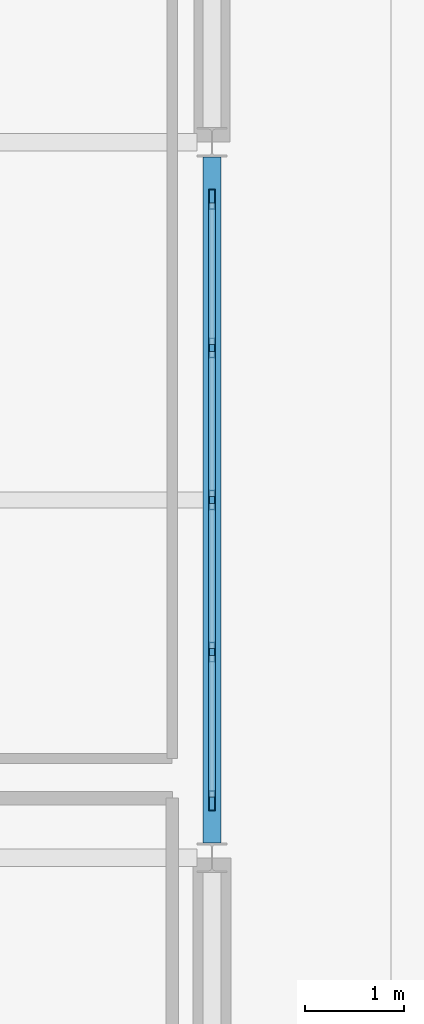
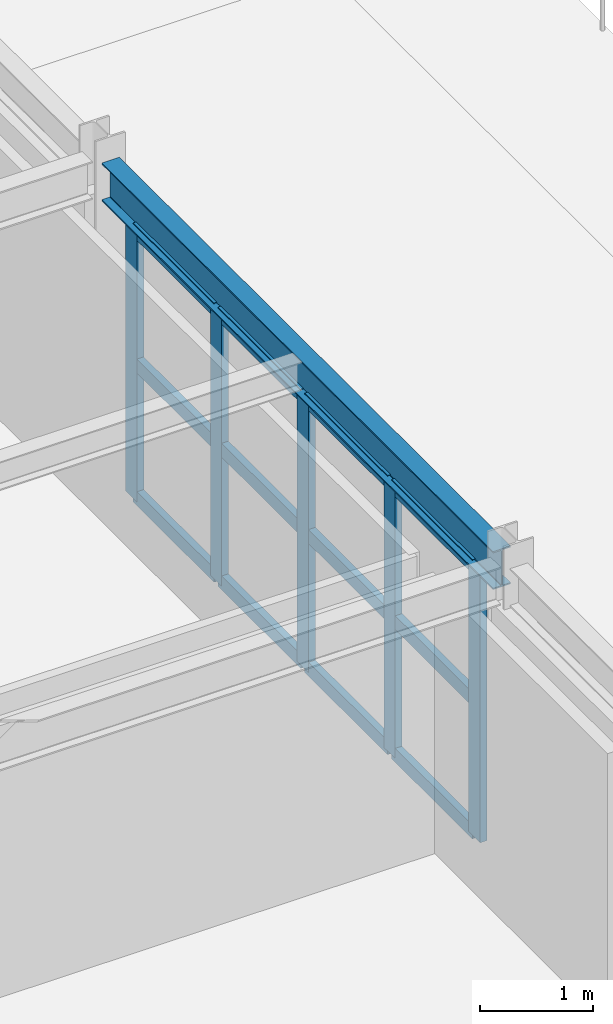
# One storey, part 47 of 73: 17 members, 1 beam, 1 element without a shape of its own.
"""IFC4 building model written with IfcOpenShell, lengths in metres."""

import ifcopenshell
import ifcopenshell.guid

model = None  # the IFC model being written
_history = None  # IfcOwnerHistory: only IFC2X3 demands one
_inside = {}  # id of a spatial element -> (the spatial element, [elements in it])
_under = {}  # id of a project, library or spatial element -> (it, [spatial elements below it])
_declared = {}  # id of a project -> (the project, [libraries it declares])
_typed = {}  # id of a type object -> (the type object, [elements of that type])
_made_of = {}  # id of a material, layer set ... -> (it, [elements and type objects made of it])


def new_model(schema):
    """Start an empty IFC model of exactly this schema.

    Asked for "IFC4X3", IfcOpenShell would pick the latest addendum, in which some entities
    have other attributes; the version numbers below select the first issue.
    IFC2X3 requires an IfcOwnerHistory on every rooted entity: one is made here for all.
    """
    global model, _history
    if schema == "IFC4X3":
        model = ifcopenshell.file(schema_version=(4, 3, 0, 0))
    else:
        model = ifcopenshell.file(schema=schema)
    _inside.clear()
    _under.clear()
    _declared.clear()
    _typed.clear()
    _made_of.clear()
    _history = None
    if model.schema == "IFC2X3":
        org = make("IfcOrganization", Name="unknown")
        user = make(
            "IfcPersonAndOrganization",
            ThePerson=make("IfcPerson", FamilyName="unknown"),
            TheOrganization=org,
        )
        app = make(
            "IfcApplication",
            ApplicationDeveloper=org,
            Version="unknown",
            ApplicationFullName="unknown",
            ApplicationIdentifier="unknown",
        )
        _history = make(
            "IfcOwnerHistory",
            OwningUser=user,
            OwningApplication=app,
            ChangeAction="ADDED",
            CreationDate=0,
        )
    return model


def make(cls, **values):
    """One entity of the class cls with the attributes given. An attribute that is None is left unset."""
    return model.create_entity(
        cls, **{name: value for name, value in values.items() if value is not None}
    )


def rooted(cls, **values):
    """An entity with a GlobalId (a new one), such as an element, a storey or a relation."""
    return make(cls, GlobalId=ifcopenshell.guid.new(), OwnerHistory=_history, **values)


def si_unit(unit_type, name, prefix=None):
    """IfcSIUnit, for example si_unit("LENGTHUNIT", "METRE", prefix="MILLI")."""
    return make("IfcSIUnit", UnitType=unit_type, Prefix=prefix, Name=name)


def assignment(units):
    """IfcUnitAssignment: the units of a project."""
    return None if units is None else make("IfcUnitAssignment", Units=units)


def point(xyz):
    """IfcCartesianPoint."""
    return None if xyz is None else make("IfcCartesianPoint", Coordinates=xyz)


def direction(xyz):
    """IfcDirection."""
    return None if xyz is None else make("IfcDirection", DirectionRatios=xyz)


def frame(location, z_axis=None, x_axis=None):
    """IfcAxis2Placement3D, a coordinate frame: its origin and axes. An axis left out is left unset."""
    return make(
        "IfcAxis2Placement3D",
        Location=point(location),
        Axis=direction(z_axis),
        RefDirection=direction(x_axis),
    )


def frame_2d(location, x_axis=None):
    """IfcAxis2Placement2D, a coordinate frame in the plane: its origin and x axis."""
    return make(
        "IfcAxis2Placement2D", Location=point(location), RefDirection=direction(x_axis)
    )


def origin():
    """The frame at (0, 0, 0) with its axes left unset."""
    return frame((0.0, 0.0, 0.0))


def origin_2d():
    """The frame at (0, 0) in the plane with its x axis left unset."""
    return frame_2d((0.0, 0.0))


def place(relative_to, where):
    """IfcLocalPlacement: puts the frame where relative to a parent placement (None: the world)."""
    return make(
        "IfcLocalPlacement", PlacementRelTo=relative_to, RelativePlacement=where
    )


def context(
    kind, dimensions, precision=None, world=None, true_north=None, identifier=None
):
    """IfcGeometricRepresentationContext, for example the 3D "Model" context."""
    return make(
        "IfcGeometricRepresentationContext",
        ContextIdentifier=identifier,
        ContextType=kind,
        CoordinateSpaceDimension=dimensions,
        Precision=precision,
        WorldCoordinateSystem=world,
        TrueNorth=true_north,
    )


def subcontext(parent, identifier, kind, view, scale=None):
    """IfcGeometricRepresentationSubContext, for example "Body" below "Model"."""
    return make(
        "IfcGeometricRepresentationSubContext",
        ContextIdentifier=identifier,
        ContextType=kind,
        ParentContext=parent,
        TargetScale=scale,
        TargetView=view,
    )


def project(units=None, contexts=None):
    """IfcProject with its units and contexts."""
    return rooted(
        "IfcProject",
        Name="project",
        RepresentationContexts=contexts,
        UnitsInContext=assignment(units),
    )


def spatial(cls, under=None, at=None, **own):
    """A site, building, storey or space (cls), placed at a placement, below another one or the project."""
    s = rooted(cls, ObjectPlacement=at, **own)
    if under is not None:
        _under.setdefault(under.id(), (under, []))[1].append(s)
    return s


def profile(cls, at=None, kind="AREA", **sizes):
    """A parametric profile (cls). Its sizes go by their IFC names, for example OverallWidth=200.0."""
    return make(cls, ProfileType=kind, Position=at, **sizes)


def hollow_rectangle(**sizes):
    """IfcRectangleHollowProfileDef."""
    return profile("IfcRectangleHollowProfileDef", **sizes)


def i_section(**sizes):
    """IfcIShapeProfileDef."""
    return profile("IfcIShapeProfileDef", **sizes)


def extrude(swept, where, along, depth):
    """IfcExtrudedAreaSolid: the profile swept, set in the frame where, extruded along a direction by depth."""
    return make(
        "IfcExtrudedAreaSolid",
        SweptArea=swept,
        Position=where,
        ExtrudedDirection=direction(along),
        Depth=depth,
    )


def shape(context_of_items, identifier, shape_type, items):
    """IfcShapeRepresentation: the items that make up one representation, for example the "Body"."""
    return make(
        "IfcShapeRepresentation",
        ContextOfItems=context_of_items,
        RepresentationIdentifier=identifier,
        RepresentationType=shape_type,
        Items=items,
    )


def material(Name=None, Category=None):
    """IfcMaterial."""
    return make("IfcMaterial", Name=Name, Category=Category)


def layer(
    of_material, thickness, ventilated=None, Name=None, Category=None, Priority=None
):
    """IfcMaterialLayer: one layer of a wall or slab, of a material (None: an air gap)."""
    return make(
        "IfcMaterialLayer",
        Material=of_material,
        LayerThickness=thickness,
        IsVentilated=ventilated,
        Name=Name,
        Category=Category,
        Priority=Priority,
    )


def layer_set(layers, Name=None):
    """IfcMaterialLayerSet."""
    return make("IfcMaterialLayerSet", MaterialLayers=layers, LayerSetName=Name)


def material_profile(
    of_material, cross_section, Name=None, Category=None, Priority=None
):
    """IfcMaterialProfile: a cross section and its material."""
    return make(
        "IfcMaterialProfile",
        Name=Name,
        Material=of_material,
        Profile=cross_section,
        Priority=Priority,
        Category=Category,
    )


def profile_set(profiles, Name=None, composite=None):
    """IfcMaterialProfileSet."""
    return make(
        "IfcMaterialProfileSet",
        Name=Name,
        MaterialProfiles=profiles,
        CompositeProfile=composite,
    )


def made_of(thing, what):
    """Note that an element or type object is made of a material, layer set ...; save() writes the relation."""
    if what is not None:
        _made_of.setdefault(what.id(), (what, []))[1].append(thing)
    return thing


def type_object(cls, material=None, **own):
    """A type object (cls), such as IfcWallType, which elements share."""
    return made_of(rooted(cls, **own), material)


def element(
    cls,
    number,
    at=None,
    inside=None,
    cuts=None,
    type_object=None,
    material=None,
    context=None,
    identifier="Body",
    shape_type=None,
    held_by="IfcProductDefinitionShape",
    body=None,
    shapes=None,
    **own,
):
    """One element of the class cls, such as IfcWall. Its Tag is "e" and its number.

    at: its placement. inside: the storey or other place that contains it. cuts: it is an
    opening in that element (IfcRelVoidsElement). A single representation is given by context,
    identifier, shape_type and body (its items); several are given by shapes. held_by: the class
    of the entity that holds the representations. save() writes the other relations.
    """
    e = rooted(cls, Tag="e%d" % number, ObjectPlacement=at, **own)
    if body is not None:
        shapes = [shape(context, identifier, shape_type, body)]
    if shapes is not None:
        e.Representation = make(held_by, Representations=shapes)
    if inside is not None:
        _inside.setdefault(inside.id(), (inside, []))[1].append(e)
    if cuts is not None:
        rooted(
            "IfcRelVoidsElement", RelatingBuildingElement=cuts, RelatedOpeningElement=e
        )
    if type_object is not None:
        _typed.setdefault(type_object.id(), (type_object, []))[1].append(e)
    return made_of(e, material)


def aggregate(whole, parts):
    """IfcRelAggregates: a whole, such as a stair, and the parts it consists of."""
    return rooted("IfcRelAggregates", RelatingObject=whole, RelatedObjects=parts)


def save(model, path):
    """Write the relations noted so far, then the file.

    IfcRelAggregates (storeys below a building ...), IfcRelContainedInSpatialStructure (elements
    in a storey), IfcRelDefinesByType, IfcRelAssociatesMaterial and IfcRelDeclares: one each for
    every whole, place, type object, material and project.
    """
    for whole, parts in _under.values():
        aggregate(whole, parts)
    for where, things in _inside.values():
        rooted(
            "IfcRelContainedInSpatialStructure",
            RelatedElements=things,
            RelatingStructure=where,
        )
    for kind, things in _typed.values():
        rooted("IfcRelDefinesByType", RelatedObjects=things, RelatingType=kind)
    for what, things in _made_of.values():
        rooted("IfcRelAssociatesMaterial", RelatedObjects=things, RelatingMaterial=what)
    for by, libraries in _declared.values():
        rooted("IfcRelDeclares", RelatingContext=by, RelatedDefinitions=libraries)
    model.write(path)


model = new_model("IFC4")

# Units and contexts
model_context = context("Model", 3, precision=1e-05, world=origin(), true_north=direction((0.0, 1.0)))
body_context = subcontext(model_context, "Body", "Model", "MODEL_VIEW")
ifc_project = project(units=[si_unit("LENGTHUNIT", "METRE"), si_unit("AREAUNIT", "SQUARE_METRE"), si_unit("VOLUMEUNIT", "CUBIC_METRE"), si_unit("PLANEANGLEUNIT", "RADIAN"), si_unit("MASSUNIT", "GRAM", prefix="KILO")], contexts=[model_context])

# Site, building, storey
site_placement = place(None, origin())
site = spatial("IfcSite", under=ifc_project, at=site_placement, CompositionType="ELEMENT")
building_placement = place(site_placement, origin())
building = spatial("IfcBuilding", under=site, at=building_placement, Name="Carrowvane Square Congress Hotel", CompositionType="ELEMENT")
storey_placement = place(building_placement, frame((0.0, 0.0, 19.199951171875)))
storey = spatial("IfcBuildingStorey", under=building, at=storey_placement, Name="L04", CompositionType="ELEMENT", Elevation=19.199951171875)

# Beam
ifc_material_1 = material(Name="Steel S355", Category="steel")
ifc_material_profile_1 = material_profile(ifc_material_1, i_section(OverallWidth=0.1787109375, OverallDepth=0.409423828125, WebThickness=0.0087890625, FlangeThickness=0.014404296875, FilletRadius=0.01025390625, at=origin_2d()), Name="UKB 406x178x67")
ifc_profile_set_1 = profile_set([ifc_material_profile_1], Name="Steel S355")
beam_type = type_object("IfcBeamType", Name="BM-ST-UKB406", PredefinedType="BEAM", material=ifc_profile_set_1)
beam_placement = place(storey_placement, frame((177.199951171875, 77.550048828125, 3.145263671875), z_axis=(0.0, 1.0, 0.0), x_axis=(-1.0, 0.0, 0.0)))
element("IfcBeam", 1, at=beam_placement, inside=storey, type_object=beam_type, Name="L05 girder 24/L-M", PredefinedType="BEAM", context=body_context, shape_type="SweptSolid", body=[
    extrude(i_section(OverallWidth=0.1787109375, OverallDepth=0.409423828125, WebThickness=0.0087890625, FlangeThickness=0.014404296875, FilletRadius=0.01025390625, at=origin_2d()), origin(), (0.0, 0.0, 1.0), 6.89990234375),
])

# Curtain wall, members
ifc_material_2 = material(Name="Anodised aluminium", Category="aluminium")
ifc_layer = layer(ifc_material_2, 0.174072265625)
ifc_layer_set = layer_set([ifc_layer], Name="Anodised aluminium")
curtain_wall_type = type_object("IfcCurtainWallType", Name="CW-SYS-2", PredefinedType="NOTDEFINED", material=ifc_layer_set)
curtain_wall_placement = place(storey_placement, origin())
curtain_wall = element("IfcCurtainWall", 2, at=curtain_wall_placement, inside=storey, type_object=curtain_wall_type, Name="L04 unitised curtain wall 297", PredefinedType="NOTDEFINED")
ifc_material_3 = material(Name="Anodised aluminium", Category="aluminium")
ifc_material_profile_2 = material_profile(ifc_material_3, hollow_rectangle(XDim=0.070068359375, YDim=0.199951171875, WallThickness=0.0048828125, at=origin_2d()), Name="CW-ML 70x200x5")
ifc_profile_set_2 = profile_set([ifc_material_profile_2], Name="Anodised aluminium")
member_type_1 = type_object("IfcMemberType", Name="CW-MUL-2", PredefinedType="MULLION", material=ifc_profile_set_2)
member_1_placement = place(storey_placement, frame((177.199951171875, 84.02490234375, 0.0), z_axis=(0.0, 0.0, 1.0), x_axis=(1.0, 0.0, 0.0)))
member_1 = element("IfcMember", 3, at=member_1_placement, type_object=member_type_1, Name="CW-2 mullion 1", PredefinedType="MULLION", context=body_context, shape_type="SweptSolid", body=[
    extrude(hollow_rectangle(XDim=0.070068359375, YDim=0.199951171875, WallThickness=0.0048828125, at=origin_2d()), origin(), (0.0, 0.0, 1.0), 2.925537109375),
])
member_2_placement = place(storey_placement, frame((177.199951171875, 82.530029296875, 0.0), z_axis=(0.0, 0.0, 1.0), x_axis=(1.0, 0.0, 0.0)))
member_2 = element("IfcMember", 4, at=member_2_placement, type_object=member_type_1, Name="CW-2 mullion 2", PredefinedType="MULLION", context=body_context, shape_type="SweptSolid", body=[
    extrude(hollow_rectangle(XDim=0.070068359375, YDim=0.199951171875, WallThickness=0.0048828125, at=origin_2d()), origin(), (0.0, 0.0, 1.0), 2.925537109375),
])
member_3_placement = place(storey_placement, frame((177.199951171875, 81.0, 0.0), z_axis=(0.0, 0.0, 1.0), x_axis=(1.0, 0.0, 0.0)))
member_3 = element("IfcMember", 5, at=member_3_placement, type_object=member_type_1, Name="CW-2 mullion 3", PredefinedType="MULLION", context=body_context, shape_type="SweptSolid", body=[
    extrude(hollow_rectangle(XDim=0.070068359375, YDim=0.199951171875, WallThickness=0.0048828125, at=origin_2d()), origin(), (0.0, 0.0, 1.0), 2.925537109375),
])
member_4_placement = place(storey_placement, frame((177.199951171875, 79.469970703125, 0.0), z_axis=(0.0, 0.0, 1.0), x_axis=(1.0, 0.0, 0.0)))
member_4 = element("IfcMember", 6, at=member_4_placement, type_object=member_type_1, Name="CW-2 mullion 4", PredefinedType="MULLION", context=body_context, shape_type="SweptSolid", body=[
    extrude(hollow_rectangle(XDim=0.070068359375, YDim=0.199951171875, WallThickness=0.0048828125, at=origin_2d()), origin(), (0.0, 0.0, 1.0), 2.925537109375),
])
member_5_placement = place(storey_placement, frame((177.199951171875, 77.97509765625, 0.0), z_axis=(0.0, 0.0, 1.0), x_axis=(1.0, 0.0, 0.0)))
member_5 = element("IfcMember", 7, at=member_5_placement, type_object=member_type_1, Name="CW-2 mullion 5", PredefinedType="MULLION", context=body_context, shape_type="SweptSolid", body=[
    extrude(hollow_rectangle(XDim=0.070068359375, YDim=0.199951171875, WallThickness=0.0048828125, at=origin_2d()), origin(), (0.0, 0.0, 1.0), 2.925537109375),
])
ifc_material_4 = material(Name="Anodised aluminium", Category="aluminium")
ifc_material_profile_3 = material_profile(ifc_material_4, hollow_rectangle(XDim=0.070068359375, YDim=0.14990234375, WallThickness=0.0048828125, at=origin_2d()), Name="CW-TR 70x150x5")
ifc_profile_set_3 = profile_set([ifc_material_profile_3], Name="Anodised aluminium")
member_type_2 = type_object("IfcMemberType", Name="CW-TRN-2", PredefinedType="USERDEFINED", material=ifc_profile_set_3)
member_6_placement = place(storey_placement, frame((177.199951171875, 83.989990234375, 0.03515625), z_axis=(0.0, -1.0, 0.0), x_axis=(1.0, 0.0, 0.0)))
member_6 = element("IfcMember", 8, at=member_6_placement, type_object=member_type_2, Name="CW-2 transom 1.1", ObjectType="TRANSOM", PredefinedType="USERDEFINED", context=body_context, shape_type="SweptSolid", body=[
    extrude(hollow_rectangle(XDim=0.070068359375, YDim=0.14990234375, WallThickness=0.0048828125, at=origin_2d()), origin(), (0.0, 0.0, 1.0), 1.425048828125),
])
member_7_placement = place(storey_placement, frame((177.199951171875, 83.989990234375, 1.462890625), z_axis=(0.0, -1.0, 0.0), x_axis=(1.0, 0.0, 0.0)))
member_7 = element("IfcMember", 9, at=member_7_placement, type_object=member_type_2, Name="CW-2 transom 1.2", ObjectType="TRANSOM", PredefinedType="USERDEFINED", context=body_context, shape_type="SweptSolid", body=[
    extrude(hollow_rectangle(XDim=0.070068359375, YDim=0.14990234375, WallThickness=0.0048828125, at=origin_2d()), origin(), (0.0, 0.0, 1.0), 1.425048828125),
])
member_8_placement = place(storey_placement, frame((177.199951171875, 83.989990234375, 2.890625), z_axis=(0.0, -1.0, 0.0), x_axis=(1.0, 0.0, 0.0)))
member_8 = element("IfcMember", 10, at=member_8_placement, type_object=member_type_2, Name="CW-2 transom 1.3", ObjectType="TRANSOM", PredefinedType="USERDEFINED", context=body_context, shape_type="SweptSolid", body=[
    extrude(hollow_rectangle(XDim=0.070068359375, YDim=0.14990234375, WallThickness=0.0048828125, at=origin_2d()), origin(), (0.0, 0.0, 1.0), 1.425048828125),
])
member_9_placement = place(storey_placement, frame((177.199951171875, 82.4951171875, 0.03515625), z_axis=(0.0, -1.0, 0.0), x_axis=(1.0, 0.0, 0.0)))
member_9 = element("IfcMember", 11, at=member_9_placement, type_object=member_type_2, Name="CW-2 transom 2.1", ObjectType="TRANSOM", PredefinedType="USERDEFINED", context=body_context, shape_type="SweptSolid", body=[
    extrude(hollow_rectangle(XDim=0.070068359375, YDim=0.14990234375, WallThickness=0.0048828125, at=origin_2d()), origin(), (0.0, 0.0, 1.0), 1.460205078125),
])
member_10_placement = place(storey_placement, frame((177.199951171875, 82.4951171875, 1.462890625), z_axis=(0.0, -1.0, 0.0), x_axis=(1.0, 0.0, 0.0)))
member_10 = element("IfcMember", 12, at=member_10_placement, type_object=member_type_2, Name="CW-2 transom 2.2", ObjectType="TRANSOM", PredefinedType="USERDEFINED", context=body_context, shape_type="SweptSolid", body=[
    extrude(hollow_rectangle(XDim=0.070068359375, YDim=0.14990234375, WallThickness=0.0048828125, at=origin_2d()), origin(), (0.0, 0.0, 1.0), 1.460205078125),
])
member_11_placement = place(storey_placement, frame((177.199951171875, 82.4951171875, 2.890625), z_axis=(0.0, -1.0, 0.0), x_axis=(1.0, 0.0, 0.0)))
member_11 = element("IfcMember", 13, at=member_11_placement, type_object=member_type_2, Name="CW-2 transom 2.3", ObjectType="TRANSOM", PredefinedType="USERDEFINED", context=body_context, shape_type="SweptSolid", body=[
    extrude(hollow_rectangle(XDim=0.070068359375, YDim=0.14990234375, WallThickness=0.0048828125, at=origin_2d()), origin(), (0.0, 0.0, 1.0), 1.460205078125),
])
member_12_placement = place(storey_placement, frame((177.199951171875, 80.965087890625, 0.03515625), z_axis=(0.0, -1.0, 0.0), x_axis=(1.0, 0.0, 0.0)))
member_12 = element("IfcMember", 14, at=member_12_placement, type_object=member_type_2, Name="CW-2 transom 3.1", ObjectType="TRANSOM", PredefinedType="USERDEFINED", context=body_context, shape_type="SweptSolid", body=[
    extrude(hollow_rectangle(XDim=0.070068359375, YDim=0.14990234375, WallThickness=0.0048828125, at=origin_2d()), origin(), (0.0, 0.0, 1.0), 1.460205078125),
])
member_13_placement = place(storey_placement, frame((177.199951171875, 80.965087890625, 1.462890625), z_axis=(0.0, -1.0, 0.0), x_axis=(1.0, 0.0, 0.0)))
member_13 = element("IfcMember", 15, at=member_13_placement, type_object=member_type_2, Name="CW-2 transom 3.2", ObjectType="TRANSOM", PredefinedType="USERDEFINED", context=body_context, shape_type="SweptSolid", body=[
    extrude(hollow_rectangle(XDim=0.070068359375, YDim=0.14990234375, WallThickness=0.0048828125, at=origin_2d()), origin(), (0.0, 0.0, 1.0), 1.460205078125),
])
member_14_placement = place(storey_placement, frame((177.199951171875, 80.965087890625, 2.890625), z_axis=(0.0, -1.0, 0.0), x_axis=(1.0, 0.0, 0.0)))
member_14 = element("IfcMember", 16, at=member_14_placement, type_object=member_type_2, Name="CW-2 transom 3.3", ObjectType="TRANSOM", PredefinedType="USERDEFINED", context=body_context, shape_type="SweptSolid", body=[
    extrude(hollow_rectangle(XDim=0.070068359375, YDim=0.14990234375, WallThickness=0.0048828125, at=origin_2d()), origin(), (0.0, 0.0, 1.0), 1.460205078125),
])
member_15_placement = place(storey_placement, frame((177.199951171875, 79.43505859375, 0.03515625), z_axis=(0.0, -1.0, 0.0), x_axis=(1.0, 0.0, 0.0)))
member_15 = element("IfcMember", 17, at=member_15_placement, type_object=member_type_2, Name="CW-2 transom 4.1", ObjectType="TRANSOM", PredefinedType="USERDEFINED", context=body_context, shape_type="SweptSolid", body=[
    extrude(hollow_rectangle(XDim=0.070068359375, YDim=0.14990234375, WallThickness=0.0048828125, at=origin_2d()), origin(), (0.0, 0.0, 1.0), 1.425048828125),
])
member_16_placement = place(storey_placement, frame((177.199951171875, 79.43505859375, 1.462890625), z_axis=(0.0, -1.0, 0.0), x_axis=(1.0, 0.0, 0.0)))
member_16 = element("IfcMember", 18, at=member_16_placement, type_object=member_type_2, Name="CW-2 transom 4.2", ObjectType="TRANSOM", PredefinedType="USERDEFINED", context=body_context, shape_type="SweptSolid", body=[
    extrude(hollow_rectangle(XDim=0.070068359375, YDim=0.14990234375, WallThickness=0.0048828125, at=origin_2d()), origin(), (0.0, 0.0, 1.0), 1.425048828125),
])
member_17_placement = place(storey_placement, frame((177.199951171875, 79.43505859375, 2.890625), z_axis=(0.0, -1.0, 0.0), x_axis=(1.0, 0.0, 0.0)))
member_17 = element("IfcMember", 19, at=member_17_placement, type_object=member_type_2, Name="CW-2 transom 4.3", ObjectType="TRANSOM", PredefinedType="USERDEFINED", context=body_context, shape_type="SweptSolid", body=[
    extrude(hollow_rectangle(XDim=0.070068359375, YDim=0.14990234375, WallThickness=0.0048828125, at=origin_2d()), origin(), (0.0, 0.0, 1.0), 1.425048828125),
])
aggregate(curtain_wall, [member_1, member_2, member_3, member_4, member_5, member_6, member_7, member_8, member_9, member_10, member_11, member_12, member_13, member_14, member_15, member_16, member_17])

save(model, "model.ifc")
